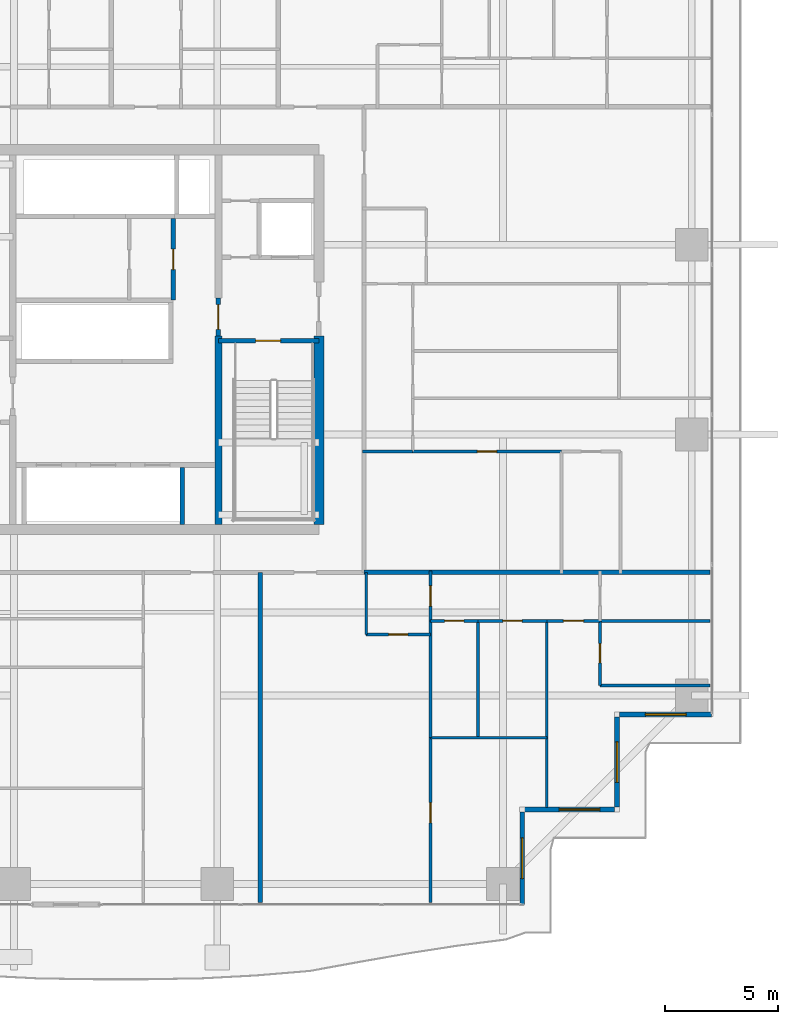
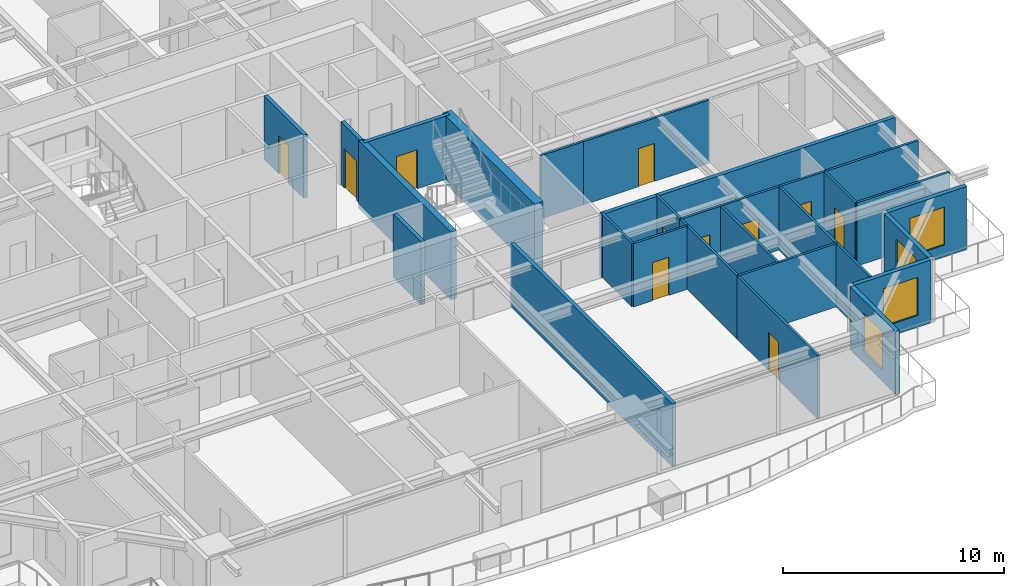
# One storey, part 29 of 41: 28 walls, 11 doors, 4 windows, 15 openings.
"""IFC4 building model written with IfcOpenShell, lengths in metres."""

from ifc_helpers import new_model, si_unit, direction, frame, frame_2d, origin, place, context, subcontext, project, spatial, rectangle, extrude, source, transform, mapped, material, layer, layer_set, type_object, element, fill, save


model = new_model("IFC4")

# Units and contexts
model_context = context("Model", 3, precision=1e-05, world=origin(), true_north=direction((0.0, 1.0)))
body_context = subcontext(model_context, "Body", "Model", "MODEL_VIEW")
ifc_project = project(units=[si_unit("LENGTHUNIT", "METRE"), si_unit("AREAUNIT", "SQUARE_METRE"), si_unit("VOLUMEUNIT", "CUBIC_METRE"), si_unit("PLANEANGLEUNIT", "RADIAN"), si_unit("MASSUNIT", "GRAM", prefix="KILO")], contexts=[model_context])

# Site, building, storey
site_placement = place(None, origin())
site = spatial("IfcSite", under=ifc_project, at=site_placement, CompositionType="ELEMENT")
building_placement = place(site_placement, origin())
building = spatial("IfcBuilding", under=site, at=building_placement, Name="Serunith Strait Residences", CompositionType="ELEMENT")
storey_placement = place(building_placement, frame((0.0, 0.0, 45.449951171875)))
storey = spatial("IfcBuildingStorey", under=building, at=storey_placement, Name="L10", CompositionType="ELEMENT", Elevation=45.449951171875)

# Wall, opening, window
ifc_material_1 = material(Name="Pale-Champagne Aluminium Insulated Panel", Category="aluminium")
ifc_layer_1 = layer(ifc_material_1, 0.219970703125, Name="Pale-Champagne Aluminium Insulated Panel")
ifc_layer_set_1 = layer_set([ifc_layer_1], Name="Pale-Champagne Aluminium Insulated Panel")
wall_type_1 = type_object("IfcWallType", Name="EW-ALUM-220", PredefinedType="ELEMENTEDWALL", material=ifc_layer_set_1)
wall_1_placement = place(storey_placement, frame((50.39990234375, 0.199951171875, 0.0), z_axis=(0.0, 0.0, 1.0), x_axis=(0.0, 1.0, 0.0)))
wall_1 = element("IfcWall", 1, at=wall_1_placement, inside=storey, type_object=wall_type_1, Name="L10 Girih Serrated Corner Wall 02", PredefinedType="ELEMENTEDWALL", context=body_context, shape_type="SweptSolid", body=[
    extrude(rectangle(XDim=4.090087890625, YDim=0.219970703125, at=frame_2d((2.044921875, 0.0))), origin(), (0.0, 0.0, 1.0), 3.47509765625),
])
opening_1_placement = place(wall_1_placement, frame((1.14501953125, 0.0, 0.64990234375)))
opening_1 = element("IfcOpeningElement", 2, at=opening_1_placement, cuts=wall_1, Name="Opening W-01", PredefinedType="OPENING", context=body_context, shape_type="SweptSolid", body=[
    extrude(rectangle(XDim=1.800048828125, YDim=2.10009765625, at=frame_2d((0.89990234375, 1.050048828125))), frame((0.0, 0.1201171875, 0.0), z_axis=(0.0, -1.0, 0.0), x_axis=(1.0, 0.0, 0.0)), (0.0, 0.0, 1.0), 0.239990234375),
])
ifc_material_2 = material(Name="Ceramic-Fritted Operable Aluminium Window Glass", Category="aluminium")
window_type = type_object("IfcWindowType", Name="WIN-C1", PartitioningType="DOUBLE_PANEL_VERTICAL", PredefinedType="WINDOW", material=ifc_material_2)
shared_shape_1 = source(origin(), body_context, "Body", "SweptSolid", [
    extrude(rectangle(XDim=1.800048828125, YDim=2.10009765625, at=frame_2d((0.89990234375, 1.050048828125))), frame((0.0, 0.030029296875, 0.0), z_axis=(0.0, -1.0, 0.0), x_axis=(1.0, 0.0, 0.0)), (0.0, 0.0, 1.0), 0.06005859375),
])
window_1_placement = place(opening_1_placement, origin())
window_1 = element("IfcWindow", 3, at=window_1_placement, inside=storey, type_object=window_type, Name="L10 Corner Operable Fritted Window 02", OverallHeight=2.10009765625, OverallWidth=1.800048828125, PartitioningType="SINGLE_PANEL", PredefinedType="WINDOW", context=body_context, shape_type="MappedRepresentation", body=[
    mapped(shared_shape_1, transform((0.0, 0.0, 0.0), scale=1.0)),
])
fill(opening_1, window_1)

wall_2_placement = place(storey_placement, frame((50.510009765625, 4.39990234375, 0.0), z_axis=(0.0, 0.0, 1.0), x_axis=(1.0, 0.0, 0.0)))
wall_2 = element("IfcWall", 4, at=wall_2_placement, inside=storey, type_object=wall_type_1, Name="L10 Girih Serrated Corner Wall 03", PredefinedType="ELEMENTEDWALL", context=body_context, shape_type="SweptSolid", body=[
    extrude(rectangle(XDim=3.97998046875, YDim=0.219970703125, at=frame_2d((1.989990234375, 0.0))), origin(), (0.0, 0.0, 1.0), 3.47509765625),
])
opening_2_placement = place(wall_2_placement, frame((1.52587890625, 0.0, 0.64990234375)))
opening_2 = element("IfcOpeningElement", 5, at=opening_2_placement, cuts=wall_2, Name="Opening W-01", PredefinedType="OPENING", context=body_context, shape_type="SweptSolid", body=[
    extrude(rectangle(XDim=1.800048828125, YDim=2.10009765625, at=frame_2d((0.89990234375, 1.050048828125))), frame((0.0, 0.1201171875, 0.0), z_axis=(0.0, -1.0, 0.0), x_axis=(1.0, 0.0, 0.0)), (0.0, 0.0, 1.0), 0.239990234375),
])
window_2_placement = place(opening_2_placement, origin())
window_2 = element("IfcWindow", 6, at=window_2_placement, inside=storey, type_object=window_type, Name="L10 Corner Operable Fritted Window 03", OverallHeight=2.10009765625, OverallWidth=1.800048828125, PartitioningType="SINGLE_PANEL", PredefinedType="WINDOW", context=body_context, shape_type="MappedRepresentation", body=[
    mapped(shared_shape_1, transform((0.0, 0.0, 0.0), scale=1.0)),
])
fill(opening_2, window_2)

wall_3_placement = place(storey_placement, frame((54.60009765625, 4.510009765625, 0.0), z_axis=(0.0, 0.0, 1.0), x_axis=(0.0, 1.0, 0.0)))
wall_3 = element("IfcWall", 7, at=wall_3_placement, inside=storey, type_object=wall_type_1, Name="L10 Girih Serrated Corner Wall 04", PredefinedType="ELEMENTEDWALL", context=body_context, shape_type="SweptSolid", body=[
    extrude(rectangle(XDim=3.97998046875, YDim=0.219970703125, at=frame_2d((1.989990234375, 0.0))), origin(), (0.0, 0.0, 1.0), 3.47509765625),
])
opening_3_placement = place(wall_3_placement, frame((1.090087890625, 0.0, 0.64990234375)))
opening_3 = element("IfcOpeningElement", 8, at=opening_3_placement, cuts=wall_3, Name="Opening W-01", PredefinedType="OPENING", context=body_context, shape_type="SweptSolid", body=[
    extrude(rectangle(XDim=1.800048828125, YDim=2.10009765625, at=frame_2d((0.89990234375, 1.050048828125))), frame((0.0, 0.1201171875, 0.0), z_axis=(0.0, -1.0, 0.0), x_axis=(1.0, 0.0, 0.0)), (0.0, 0.0, 1.0), 0.239990234375),
])
window_3_placement = place(opening_3_placement, origin())
window_3 = element("IfcWindow", 9, at=window_3_placement, inside=storey, type_object=window_type, Name="L10 Corner Operable Fritted Window 04", OverallHeight=2.10009765625, OverallWidth=1.800048828125, PartitioningType="SINGLE_PANEL", PredefinedType="WINDOW", context=body_context, shape_type="MappedRepresentation", body=[
    mapped(shared_shape_1, transform((0.0, 0.0, 0.0), scale=1.0)),
])
fill(opening_3, window_3)

wall_4_placement = place(storey_placement, frame((54.7099609375, 8.60009765625, 0.0), z_axis=(0.0, 0.0, 1.0), x_axis=(1.0, 0.0, 0.0)))
wall_4 = element("IfcWall", 10, at=wall_4_placement, inside=storey, type_object=wall_type_1, Name="L10 Girih Serrated Corner Wall 05", PredefinedType="ELEMENTEDWALL", context=body_context, shape_type="SweptSolid", body=[
    extrude(rectangle(XDim=4.090087890625, YDim=0.219970703125, at=frame_2d((2.044921875, 0.0))), origin(), (0.0, 0.0, 1.0), 3.47509765625),
])
opening_4_placement = place(wall_4_placement, frame((1.14501953125, 0.0, 0.64990234375)))
opening_4 = element("IfcOpeningElement", 11, at=opening_4_placement, cuts=wall_4, Name="Opening W-01", PredefinedType="OPENING", context=body_context, shape_type="SweptSolid", body=[
    extrude(rectangle(XDim=1.800048828125, YDim=2.10009765625, at=frame_2d((0.89990234375, 1.050048828125))), frame((0.0, 0.1201171875, 0.0), z_axis=(0.0, -1.0, 0.0), x_axis=(1.0, 0.0, 0.0)), (0.0, 0.0, 1.0), 0.239990234375),
])
window_4_placement = place(opening_4_placement, origin())
window_4 = element("IfcWindow", 12, at=window_4_placement, inside=storey, type_object=window_type, Name="L10 Corner Operable Fritted Window 05", OverallHeight=2.10009765625, OverallWidth=1.800048828125, PartitioningType="SINGLE_PANEL", PredefinedType="WINDOW", context=body_context, shape_type="MappedRepresentation", body=[
    mapped(shared_shape_1, transform((0.0, 0.0, 0.0), scale=1.0)),
])
fill(opening_4, window_4)

# Wall, opening, door
ifc_material_3 = material(Name="Lightweight steel-stud gypsum partition", Category="steel")
ifc_layer_2 = layer(ifc_material_3, 0.1201171875, Name="Lightweight steel-stud gypsum partition")
ifc_layer_set_2 = layer_set([ifc_layer_2], Name="Lightweight steel-stud gypsum partition")
wall_type_2 = type_object("IfcWallType", Name="IW-PART-120", PredefinedType="PARTITIONING", material=ifc_layer_set_2)
wall_5_placement = place(storey_placement, frame((43.489990234375, 12.14990234375, 0.0), z_axis=(0.0, 0.0, 1.0), x_axis=(1.0, 0.0, 0.0)))
wall_5 = element("IfcWall", 13, at=wall_5_placement, inside=storey, type_object=wall_type_2, Name="L10 Partition Wall 051", PredefinedType="PARTITIONING", context=body_context, shape_type="SweptSolid", body=[
    extrude(rectangle(XDim=2.85009765625, YDim=0.1201171875, at=frame_2d((1.425048828125, 0.0))), origin(), (0.0, 0.0, 1.0), 3.489990234375),
])
opening_5_placement = place(wall_5_placement, frame((1.0, 0.0, 0.0)))
opening_5 = element("IfcOpeningElement", 14, at=opening_5_placement, cuts=wall_5, Name="Opening D-RM850", PredefinedType="OPENING", context=body_context, shape_type="SweptSolid", body=[
    extrude(rectangle(XDim=0.85009765625, YDim=2.10009765625, at=frame_2d((0.425048828125, 1.050048828125))), frame((0.0, 0.070068359375, 0.0), z_axis=(0.0, -1.0, 0.0), x_axis=(1.0, 0.0, 0.0)), (0.0, 0.0, 1.0), 0.14013671875),
])
ifc_material_4 = material(Name="Engineered timber flush study and kitchen door", Category="wood")
door_type_1 = type_object("IfcDoorType", Name="ID-ROOM-850", OperationType="NOTDEFINED", PredefinedType="DOOR", material=ifc_material_4)
shared_shape_2 = source(origin(), body_context, "Body", "SweptSolid", [
    extrude(rectangle(XDim=0.85009765625, YDim=2.10009765625, at=frame_2d((0.425048828125, 1.050048828125))), frame((0.0, 0.02490234375, 0.0), z_axis=(0.0, -1.0, 0.0), x_axis=(1.0, 0.0, 0.0)), (0.0, 0.0, 1.0), 0.050048828125),
])
door_1_placement = place(opening_5_placement, origin())
door_1 = element("IfcDoor", 15, at=door_1_placement, inside=storey, type_object=door_type_1, Name="L10 Kitchen 1003 Door", OperationType="SINGLE_SWING_RIGHT", OverallHeight=2.10009765625, OverallWidth=0.85009765625, PredefinedType="DOOR", context=body_context, shape_type="MappedRepresentation", body=[
    mapped(shared_shape_2, transform((0.0, 0.0, 0.0), scale=1.0)),
])
fill(opening_5, door_1)

# Wall
wall_6_placement = place(storey_placement, frame((43.489990234375, 12.14990234375, 0.0), z_axis=(0.0, 0.0, 1.0), x_axis=(0.0, 1.0, 0.0)))
element("IfcWall", 16, at=wall_6_placement, inside=storey, type_object=wall_type_2, Name="L10 Partition Wall 052", PredefinedType="PARTITIONING", context=body_context, shape_type="SweptSolid", body=[
    extrude(rectangle(XDim=2.748046875, YDim=0.1201171875, at=frame_2d((1.3740234375, 0.0))), origin(), (0.0, 0.0, 1.0), 3.489990234375),
])

# Wall, opening, door
wall_7_placement = place(storey_placement, frame((46.340087890625, 12.75, 0.0), z_axis=(0.0, 0.0, 1.0), x_axis=(0.0, 1.0, 0.0)))
wall_7 = element("IfcWall", 17, at=wall_7_placement, inside=storey, type_object=wall_type_2, Name="L10 Partition Wall 053", PredefinedType="PARTITIONING", context=body_context, shape_type="SweptSolid", body=[
    extrude(rectangle(XDim=2.2099609375, YDim=0.1201171875, at=frame_2d((1.10498046875, 0.0))), origin(), (0.0, 0.0, 1.0), 3.489990234375),
])
opening_6_placement = place(wall_7_placement, frame((0.655029296875, 0.0, 0.0)))
opening_6 = element("IfcOpeningElement", 18, at=opening_6_placement, cuts=wall_7, Name="Opening D-RM900", PredefinedType="OPENING", context=body_context, shape_type="SweptSolid", body=[
    extrude(rectangle(XDim=0.89990234375, YDim=2.10009765625, at=frame_2d((0.449951171875, 1.050048828125))), frame((0.0, 0.070068359375, 0.0), z_axis=(0.0, -1.0, 0.0), x_axis=(1.0, 0.0, 0.0)), (0.0, 0.0, 1.0), 0.14013671875),
])
ifc_material_5 = material(Name="Engineered timber flush bedroom door", Category="wood")
door_type_2 = type_object("IfcDoorType", Name="ID-ROOM-900", OperationType="NOTDEFINED", PredefinedType="DOOR", material=ifc_material_5)
shared_shape_3 = source(origin(), body_context, "Body", "SweptSolid", [
    extrude(rectangle(XDim=0.89990234375, YDim=2.10009765625, at=frame_2d((0.449951171875, 1.050048828125))), frame((0.0, 0.02490234375, 0.0), z_axis=(0.0, -1.0, 0.0), x_axis=(1.0, 0.0, 0.0)), (0.0, 0.0, 1.0), 0.050048828125),
])
door_2_placement = place(opening_6_placement, origin())
door_2 = element("IfcDoor", 19, at=door_2_placement, inside=storey, type_object=door_type_2, Name="L10 Hall E 1003 Door", OperationType="SINGLE_SWING_LEFT", OverallHeight=2.10009765625, OverallWidth=0.89990234375, PredefinedType="DOOR", context=body_context, shape_type="MappedRepresentation", body=[
    mapped(shared_shape_3, transform((0.0, 0.0, 0.0), scale=1.0)),
])
fill(opening_6, door_2)

wall_8_placement = place(storey_placement, frame((46.340087890625, 0.294921875, 0.0), z_axis=(0.0, 0.0, 1.0), x_axis=(0.0, 1.0, 0.0)))
wall_8 = element("IfcWall", 20, at=wall_8_placement, inside=storey, type_object=wall_type_2, Name="L10 Partition Wall 054", PredefinedType="PARTITIONING", context=body_context, shape_type="SweptSolid", body=[
    extrude(rectangle(XDim=7.28515625, YDim=0.1201171875, at=frame_2d((3.642578125, 0.0))), origin(), (0.0, 0.0, 1.0), 3.489990234375),
])
opening_7_placement = place(wall_8_placement, frame((3.511962890625, 0.0, 0.0)))
opening_7 = element("IfcOpeningElement", 21, at=opening_7_placement, cuts=wall_8, Name="Opening D-RM900", PredefinedType="OPENING", context=body_context, shape_type="SweptSolid", body=[
    extrude(rectangle(XDim=0.89990234375, YDim=2.10009765625, at=frame_2d((0.449951171875, 1.050048828125))), frame((0.0, 0.070068359375, 0.0), z_axis=(0.0, -1.0, 0.0), x_axis=(1.0, 0.0, 0.0)), (0.0, 0.0, 1.0), 0.14013671875),
])
door_3_placement = place(opening_7_placement, origin())
door_3 = element("IfcDoor", 22, at=door_3_placement, inside=storey, type_object=door_type_2, Name="L10 Formal Dining Room 1 1003 Door", OperationType="SINGLE_SWING_RIGHT", OverallHeight=2.10009765625, OverallWidth=0.89990234375, PredefinedType="DOOR", context=body_context, shape_type="MappedRepresentation", body=[
    mapped(shared_shape_3, transform((0.0, 0.0, 0.0), scale=1.0)),
])
fill(opening_7, door_3)

# Walls
wall_9_placement = place(storey_placement, frame((46.340087890625, 7.58203125, 0.0), z_axis=(0.0, 0.0, 1.0), x_axis=(0.0, 1.0, 0.0)))
element("IfcWall", 23, at=wall_9_placement, inside=storey, type_object=wall_type_2, Name="L10 Partition Wall 055", PredefinedType="PARTITIONING", context=body_context, shape_type="SweptSolid", body=[
    extrude(rectangle(XDim=5.166015625, YDim=0.1201171875, at=frame_2d((2.5830078125, 0.0))), origin(), (0.0, 0.0, 1.0), 3.489990234375),
])
wall_10_placement = place(storey_placement, frame((46.340087890625, 7.580078125, 0.0), z_axis=(0.0, 0.0, 1.0), x_axis=(1.0, 0.0, 0.0)))
element("IfcWall", 24, at=wall_10_placement, inside=storey, type_object=wall_type_2, Name="L10 Partition Wall 056", PredefinedType="PARTITIONING", context=body_context, shape_type="SweptSolid", body=[
    extrude(rectangle(XDim=5.14990234375, YDim=0.1201171875, at=frame_2d((2.574951171875, 0.0))), origin(), (0.0, 0.0, 1.0), 3.489990234375),
])
wall_11_placement = place(storey_placement, frame((51.489990234375, 4.4951171875, 0.0), z_axis=(0.0, 0.0, 1.0), x_axis=(0.0, 1.0, 0.0)))
element("IfcWall", 25, at=wall_11_placement, inside=storey, type_object=wall_type_2, Name="L10 Partition Wall 057", PredefinedType="PARTITIONING", context=body_context, shape_type="SweptSolid", body=[
    extrude(rectangle(XDim=8.2548828125, YDim=0.1201171875, at=frame_2d((4.12744140625, 0.0))), origin(), (0.0, 0.0, 1.0), 3.489990234375),
])
wall_12_placement = place(storey_placement, frame((48.43994140625, 7.580078125, 0.0), z_axis=(0.0, 0.0, 1.0), x_axis=(0.0, 1.0, 0.0)))
element("IfcWall", 26, at=wall_12_placement, inside=storey, type_object=wall_type_2, Name="L10 Partition Wall 058", PredefinedType="PARTITIONING", context=body_context, shape_type="SweptSolid", body=[
    extrude(rectangle(XDim=5.169921875, YDim=0.1201171875, at=frame_2d((2.5849609375, 0.0))), origin(), (0.0, 0.0, 1.0), 3.489990234375),
])

# Wall, opening, door
wall_13_placement = place(storey_placement, frame((46.340087890625, 12.75, 0.0), z_axis=(0.0, 0.0, 1.0), x_axis=(1.0, 0.0, 0.0)))
wall_13 = element("IfcWall", 27, at=wall_13_placement, inside=storey, type_object=wall_type_2, Name="L10 Partition Wall 059", PredefinedType="PARTITIONING", context=body_context, shape_type="SweptSolid", body=[
    extrude(rectangle(XDim=2.099853515625, YDim=0.1201171875, at=frame_2d((1.0498046875, 0.0))), origin(), (0.0, 0.0, 1.0), 3.489990234375),
])
opening_8_placement = place(wall_13_placement, frame((0.625, 0.0, 0.0)))
opening_8 = element("IfcOpeningElement", 28, at=opening_8_placement, cuts=wall_13, Name="Opening D-BTH850", PredefinedType="OPENING", context=body_context, shape_type="SweptSolid", body=[
    extrude(rectangle(XDim=0.85009765625, YDim=2.10009765625, at=frame_2d((0.425048828125, 1.050048828125))), frame((0.0, 0.070068359375, 0.0), z_axis=(0.0, -1.0, 0.0), x_axis=(1.0, 0.0, 0.0)), (0.0, 0.0, 1.0), 0.14013671875),
])
ifc_material_6 = material(Name="Moisture-resistant timber bathroom door", Category="wood")
door_type_3 = type_object("IfcDoorType", Name="ID-BATH-850", OperationType="NOTDEFINED", PredefinedType="DOOR", material=ifc_material_6)
door_4_placement = place(opening_8_placement, origin())
door_4 = element("IfcDoor", 29, at=door_4_placement, inside=storey, type_object=door_type_3, Name="L10 Bathroom 1003 Door", OperationType="SINGLE_SWING_LEFT", OverallHeight=2.10009765625, OverallWidth=0.85009765625, PredefinedType="DOOR", context=body_context, shape_type="MappedRepresentation", body=[
    mapped(shared_shape_2, transform((0.0, 0.0, 0.0), scale=1.0)),
])
fill(opening_8, door_4)

wall_14_placement = place(storey_placement, frame((48.44189453125, 12.75, 0.0), z_axis=(0.0, 0.0, 1.0), x_axis=(1.0, 0.0, 0.0)))
wall_14 = element("IfcWall", 30, at=wall_14_placement, inside=storey, type_object=wall_type_2, Name="L10 Partition Wall 060", PredefinedType="PARTITIONING", context=body_context, shape_type="SweptSolid", body=[
    extrude(rectangle(XDim=3.048095703125, YDim=0.1201171875, at=frame_2d((1.52392578125, 0.0))), origin(), (0.0, 0.0, 1.0), 3.489990234375),
])
opening_9_placement = place(wall_14_placement, frame((1.09912109375, 0.0, 0.0)))
opening_9 = element("IfcOpeningElement", 31, at=opening_9_placement, cuts=wall_14, Name="Opening D-RM850", PredefinedType="OPENING", context=body_context, shape_type="SweptSolid", body=[
    extrude(rectangle(XDim=0.85009765625, YDim=2.10009765625, at=frame_2d((0.425048828125, 1.050048828125))), frame((0.0, 0.070068359375, 0.0), z_axis=(0.0, -1.0, 0.0), x_axis=(1.0, 0.0, 0.0)), (0.0, 0.0, 1.0), 0.14013671875),
])
door_5_placement = place(opening_9_placement, origin())
door_5 = element("IfcDoor", 32, at=door_5_placement, inside=storey, type_object=door_type_1, Name="L10 Formal Dining Room 1003 Door", OperationType="SINGLE_SWING_RIGHT", OverallHeight=2.10009765625, OverallWidth=0.85009765625, PredefinedType="DOOR", context=body_context, shape_type="MappedRepresentation", body=[
    mapped(shared_shape_2, transform((0.0, 0.0, 0.0), scale=1.0)),
])
fill(opening_9, door_5)

wall_15_placement = place(storey_placement, frame((51.491943359375, 12.75, 0.0), z_axis=(0.0, 0.0, 1.0), x_axis=(1.0, 0.0, 0.0)))
wall_15 = element("IfcWall", 33, at=wall_15_placement, inside=storey, type_object=wall_type_2, Name="L10 Partition Wall 061", PredefinedType="PARTITIONING", context=body_context, shape_type="SweptSolid", body=[
    extrude(rectangle(XDim=2.34814453125, YDim=0.1201171875, at=frame_2d((1.174072265625, 0.0))), origin(), (0.0, 0.0, 1.0), 3.489990234375),
])
opening_10_placement = place(wall_15_placement, frame((0.72412109375, 0.0, 0.0)))
opening_10 = element("IfcOpeningElement", 34, at=opening_10_placement, cuts=wall_15, Name="Opening D-RM900", PredefinedType="OPENING", context=body_context, shape_type="SweptSolid", body=[
    extrude(rectangle(XDim=0.89990234375, YDim=2.10009765625, at=frame_2d((0.449951171875, 1.050048828125))), frame((0.0, 0.070068359375, 0.0), z_axis=(0.0, -1.0, 0.0), x_axis=(1.0, 0.0, 0.0)), (0.0, 0.0, 1.0), 0.14013671875),
])
door_6_placement = place(opening_10_placement, origin())
door_6 = element("IfcDoor", 35, at=door_6_placement, inside=storey, type_object=door_type_2, Name="L10 Master Bedroom E 1003 Door", OperationType="SINGLE_SWING_LEFT", OverallHeight=2.10009765625, OverallWidth=0.89990234375, PredefinedType="DOOR", context=body_context, shape_type="MappedRepresentation", body=[
    mapped(shared_shape_3, transform((0.0, 0.0, 0.0), scale=1.0)),
])
fill(opening_10, door_6)

# Walls
wall_16_placement = place(storey_placement, frame((53.840087890625, 9.89404296875, 0.0), z_axis=(0.0, 0.0, 1.0), x_axis=(1.0, 0.0, 0.0)))
element("IfcWall", 36, at=wall_16_placement, inside=storey, type_object=wall_type_2, Name="L10 Partition Wall 062", PredefinedType="PARTITIONING", context=body_context, shape_type="SweptSolid", body=[
    extrude(rectangle(XDim=4.864990234375, YDim=0.1201171875, at=frame_2d((2.4326171875, 0.0))), origin(), (0.0, 0.0, 1.0), 3.489990234375),
])
wall_17_placement = place(storey_placement, frame((53.842041015625, 12.75, 0.0), z_axis=(0.0, 0.0, 1.0), x_axis=(1.0, 0.0, 0.0)))
element("IfcWall", 37, at=wall_17_placement, inside=storey, type_object=wall_type_2, Name="L10 Partition Wall 063", PredefinedType="PARTITIONING", context=body_context, shape_type="SweptSolid", body=[
    extrude(rectangle(XDim=4.863037109375, YDim=0.1201171875, at=frame_2d((2.431640625, 0.0))), origin(), (0.0, 0.0, 1.0), 3.489990234375),
])

# Wall, opening, door
wall_18_placement = place(storey_placement, frame((53.840087890625, 9.89404296875, 0.0), z_axis=(0.0, 0.0, 1.0), x_axis=(0.0, 1.0, 0.0)))
wall_18 = element("IfcWall", 38, at=wall_18_placement, inside=storey, type_object=wall_type_2, Name="L10 Partition Wall 064", PredefinedType="PARTITIONING", context=body_context, shape_type="SweptSolid", body=[
    extrude(rectangle(XDim=2.85595703125, YDim=0.1201171875, at=frame_2d((1.427978515625, 0.0))), origin(), (0.0, 0.0, 1.0), 3.489990234375),
])
opening_11_placement = place(wall_18_placement, frame((1.0029296875, 0.0, 0.0)))
opening_11 = element("IfcOpeningElement", 39, at=opening_11_placement, cuts=wall_18, Name="Opening D-BTH850", PredefinedType="OPENING", context=body_context, shape_type="SweptSolid", body=[
    extrude(rectangle(XDim=0.85009765625, YDim=2.10009765625, at=frame_2d((0.425048828125, 1.050048828125))), frame((0.0, 0.070068359375, 0.0), z_axis=(0.0, -1.0, 0.0), x_axis=(1.0, 0.0, 0.0)), (0.0, 0.0, 1.0), 0.14013671875),
])
door_7_placement = place(opening_11_placement, origin())
door_7 = element("IfcDoor", 40, at=door_7_placement, inside=storey, type_object=door_type_3, Name="L10 En-suite Bathroom E 1003 Door", OperationType="SINGLE_SWING_RIGHT", OverallHeight=2.10009765625, OverallWidth=0.85009765625, PredefinedType="DOOR", context=body_context, shape_type="MappedRepresentation", body=[
    mapped(shared_shape_2, transform((0.0, 0.0, 0.0), scale=1.0)),
])
fill(opening_11, door_7)

wall_19_placement = place(storey_placement, frame((52.131103515625, 20.25, 0.0), z_axis=(0.0, 0.0, 1.0), x_axis=(-1.0, 0.0, 0.0)))
wall_19 = element("IfcWall", 41, at=wall_19_placement, inside=storey, type_object=wall_type_2, Name="L10 Partition Wall 129", PredefinedType="PARTITIONING", context=body_context, shape_type="SweptSolid", body=[
    extrude(rectangle(XDim=6.5810546875, YDim=0.1201171875, at=frame_2d((3.29052734375, 0.0))), origin(), (0.0, 0.0, 1.0), 3.489990234375),
])
opening_12_placement = place(wall_19_placement, frame((2.865966796875, 0.0, 0.0)))
opening_12 = element("IfcOpeningElement", 42, at=opening_12_placement, cuts=wall_19, Name="Opening D-RM850", PredefinedType="OPENING", context=body_context, shape_type="SweptSolid", body=[
    extrude(rectangle(XDim=0.85009765625, YDim=2.10009765625, at=frame_2d((0.425048828125, 1.050048828125))), frame((0.0, 0.070068359375, 0.0), z_axis=(0.0, -1.0, 0.0), x_axis=(1.0, 0.0, 0.0)), (0.0, 0.0, 1.0), 0.14013671875),
])
door_8_placement = place(opening_12_placement, origin())
door_8 = element("IfcDoor", 43, at=door_8_placement, inside=storey, type_object=door_type_1, Name="L10 Wardrobe W 1010 Door", OperationType="SINGLE_SWING_LEFT", OverallHeight=2.10009765625, OverallWidth=0.85009765625, PredefinedType="DOOR", context=body_context, shape_type="MappedRepresentation", body=[
    mapped(shared_shape_2, transform((0.0, 0.0, 0.0), scale=1.0)),
])
fill(opening_12, door_8)

# Walls
wall_20_placement = place(storey_placement, frame((45.548095703125, 20.25, 0.0), z_axis=(0.0, 0.0, 1.0), x_axis=(-1.0, 0.0, 0.0)))
element("IfcWall", 44, at=wall_20_placement, inside=storey, type_object=wall_type_2, Name="L10 Partition Wall 130", PredefinedType="PARTITIONING", context=body_context, shape_type="SweptSolid", body=[
    extrude(rectangle(XDim=2.2080078125, YDim=0.1201171875, at=frame_2d((1.10400390625, 0.0))), origin(), (0.0, 0.0, 1.0), 3.489990234375),
])
ifc_material_7 = material(Name="Twin-stud acoustic gypsum board partition")
ifc_layer_3 = layer(ifc_material_7, 0.199951171875, Name="Twin-stud acoustic gypsum board partition")
ifc_layer_set_3 = layer_set([ifc_layer_3], Name="Twin-stud acoustic gypsum board partition")
wall_type_3 = type_object("IfcWallType", Name="IW-PARTY-200", PredefinedType="PARTITIONING", material=ifc_layer_set_3)
wall_21_placement = place(storey_placement, frame((38.800048828125, 0.281982421875, 0.0), z_axis=(0.0, 0.0, 1.0), x_axis=(0.0, 1.0, 0.0)))
element("IfcWall", 45, at=wall_21_placement, inside=storey, type_object=wall_type_3, Name="L10 Partition Wall 016", PredefinedType="PARTITIONING", context=body_context, shape_type="SweptSolid", body=[
    extrude(rectangle(XDim=14.617919921875, YDim=0.199951171875, at=frame_2d((7.30908203125, 0.0))), origin(), (0.0, 0.0, 1.0), 3.489990234375),
])
wall_22_placement = place(storey_placement, frame((43.39990234375, 14.89990234375, 0.0), z_axis=(0.0, 0.0, 1.0), x_axis=(1.0, 0.0, 0.0)))
element("IfcWall", 46, at=wall_22_placement, inside=storey, type_object=wall_type_3, Name="L10 Partition Wall 022", PredefinedType="PARTITIONING", context=body_context, shape_type="SweptSolid", body=[
    extrude(rectangle(XDim=15.318115234375, YDim=0.199951171875, at=frame_2d((7.6591796875, 0.0))), origin(), (0.0, 0.0, 1.0), 3.489990234375),
])

# Wall, opening, door
ifc_material_8 = material(Name="Autoclaved aerated concrete blockwork", Category="masonry")
ifc_layer_4 = layer(ifc_material_8, 0.199951171875, Name="Autoclaved aerated concrete blockwork")
ifc_layer_set_4 = layer_set([ifc_layer_4], Name="Autoclaved aerated concrete blockwork")
wall_type_4 = type_object("IfcWallType", Name="IW-SHAFT-200", PredefinedType="STANDARD", material=ifc_layer_set_4)
wall_23_placement = place(storey_placement, frame((36.949951171875, 25.14990234375, 0.0), z_axis=(0.0, 0.0, 1.0), x_axis=(1.0, 0.0, 0.0)))
wall_23 = element("IfcWall", 47, at=wall_23_placement, inside=storey, type_object=wall_type_4, Name="L10 ST-2 North Shaft Wall", PredefinedType="STANDARD", context=body_context, shape_type="SweptSolid", body=[
    extrude(rectangle(XDim=4.449951171875, YDim=0.199951171875, at=frame_2d((2.22509765625, 0.0))), origin(), (0.0, 0.0, 1.0), 3.489990234375),
])
opening_13_placement = place(wall_23_placement, frame((1.64990234375, 0.0, 0.0)))
opening_13 = element("IfcOpeningElement", 48, at=opening_13_placement, cuts=wall_23, Name="Opening FD-1100", PredefinedType="OPENING", context=body_context, shape_type="SweptSolid", body=[
    extrude(rectangle(XDim=1.10009765625, YDim=2.14990234375, at=frame_2d((0.550048828125, 1.074951171875))), frame((0.0, 0.10986328125, 0.0), z_axis=(0.0, -1.0, 0.0), x_axis=(1.0, 0.0, 0.0)), (0.0, 0.0, 1.0), 0.219970703125),
])
ifc_material_9 = material(Name="Galvanised steel fire door leaf", Category="steel")
door_type_4 = type_object("IfcDoorType", Name="FD-STAIR-1100", OperationType="NOTDEFINED", PredefinedType="DOOR", material=ifc_material_9)
shared_shape_4 = source(origin(), body_context, "Body", "SweptSolid", [
    extrude(rectangle(XDim=1.10009765625, YDim=2.14990234375, at=frame_2d((0.550048828125, 1.074951171875))), frame((0.0, 0.02490234375, 0.0), z_axis=(0.0, -1.0, 0.0), x_axis=(1.0, 0.0, 0.0)), (0.0, 0.0, 1.0), 0.050048828125),
])
door_9_placement = place(opening_13_placement, origin())
door_9 = element("IfcDoor", 49, at=door_9_placement, inside=storey, type_object=door_type_4, Name="L10 ST-2 Escape Stair Door", OperationType="SINGLE_SWING_LEFT", OverallHeight=2.14990234375, OverallWidth=1.10009765625, PredefinedType="DOOR", context=body_context, shape_type="MappedRepresentation", body=[
    mapped(shared_shape_4, transform((0.0, 0.0, 0.0), scale=1.0)),
])
fill(opening_13, door_9)

# Wall
wall_24_placement = place(storey_placement, frame((35.35009765625, 17.02490234375, 0.0), z_axis=(0.0, 0.0, 1.0), x_axis=(0.0, 1.0, 0.0)))
element("IfcWall", 50, at=wall_24_placement, inside=storey, type_object=wall_type_4, Name="L10 PL-3 East Shaft Wall", PredefinedType="STANDARD", context=body_context, shape_type="SweptSolid", body=[
    extrude(rectangle(XDim=2.525146484375, YDim=0.199951171875, at=frame_2d((1.2626953125, 0.0))), origin(), (0.0, 0.0, 1.0), 3.489990234375),
])

# Wall, opening, door
wall_25_placement = place(storey_placement, frame((36.949951171875, 25.35205078125, 0.0), z_axis=(0.0, 0.0, 1.0), x_axis=(0.0, 1.0, 0.0)))
wall_25 = element("IfcWall", 51, at=wall_25_placement, inside=storey, type_object=wall_type_4, Name="L10 Partition Wall 010", PredefinedType="STANDARD", context=body_context, shape_type="SweptSolid", body=[
    extrude(rectangle(XDim=1.696044921875, YDim=0.199951171875, at=frame_2d((0.84814453125, 0.0))), origin(), (0.0, 0.0, 1.0), 3.489990234375),
])
opening_14_placement = place(wall_25_placement, frame((0.298095703125, 0.0, 0.0)))
opening_14 = element("IfcOpeningElement", 52, at=opening_14_placement, cuts=wall_25, Name="Opening FD-FFL", PredefinedType="OPENING", context=body_context, shape_type="SweptSolid", body=[
    extrude(rectangle(XDim=1.10009765625, YDim=2.14990234375, at=frame_2d((0.550048828125, 1.074951171875))), frame((0.0, 0.10986328125, 0.0), z_axis=(0.0, -1.0, 0.0), x_axis=(1.0, 0.0, 0.0)), (0.0, 0.0, 1.0), 0.219970703125),
])
ifc_material_10 = material(Name="Glazed steel smoke-lobby fire door", Category="steel")
door_type_5 = type_object("IfcDoorType", Name="FD-FFL-1100", OperationType="NOTDEFINED", PredefinedType="DOOR", material=ifc_material_10)
door_10_placement = place(opening_14_placement, origin())
door_10 = element("IfcDoor", 53, at=door_10_placement, inside=storey, type_object=door_type_5, Name="L10 FFL-2 Lift Lobby Door", OperationType="SINGLE_SWING_RIGHT", OverallHeight=2.14990234375, OverallWidth=1.10009765625, PredefinedType="DOOR", context=body_context, shape_type="MappedRepresentation", body=[
    mapped(shared_shape_4, transform((0.0, 0.0, 0.0), scale=1.0)),
])
fill(opening_14, door_10)

wall_26_placement = place(storey_placement, frame((34.949951171875, 26.949951171875, 0.0), z_axis=(0.0, 0.0, 1.0), x_axis=(0.0, 1.0, 0.0)))
wall_26 = element("IfcWall", 54, at=wall_26_placement, inside=storey, type_object=wall_type_4, Name="L10 Partition Wall 013", PredefinedType="STANDARD", context=body_context, shape_type="SweptSolid", body=[
    extrude(rectangle(XDim=3.60009765625, YDim=0.199951171875, at=frame_2d((1.800048828125, 0.0))), origin(), (0.0, 0.0, 1.0), 3.489990234375),
])
opening_15_placement = place(wall_26_placement, frame((1.35009765625, 0.0, 0.0)))
opening_15 = element("IfcOpeningElement", 55, at=opening_15_placement, cuts=wall_26, Name="Opening FD-900", PredefinedType="OPENING", context=body_context, shape_type="SweptSolid", body=[
    extrude(rectangle(XDim=0.89990234375, YDim=2.10009765625, at=frame_2d((0.449951171875, 1.050048828125))), frame((0.0, 0.10986328125, 0.0), z_axis=(0.0, -1.0, 0.0), x_axis=(1.0, 0.0, 0.0)), (0.0, 0.0, 1.0), 0.219970703125),
])
ifc_material_11 = material(Name="Powder-coated steel riser door", Category="steel")
door_type_6 = type_object("IfcDoorType", Name="FD-BOH-900", OperationType="NOTDEFINED", PredefinedType="DOOR", material=ifc_material_11)
door_11_placement = place(opening_15_placement, origin())
door_11 = element("IfcDoor", 56, at=door_11_placement, inside=storey, type_object=door_type_6, Name="L10 Meter Plant Door", OperationType="SINGLE_SWING_RIGHT", OverallHeight=2.10009765625, OverallWidth=0.89990234375, PredefinedType="DOOR", context=body_context, shape_type="MappedRepresentation", body=[
    mapped(shared_shape_3, transform((0.0, 0.0, 0.0), scale=1.0)),
])
fill(opening_15, door_11)

# Walls
ifc_material_12 = material(Name="Concrete C80/95", Category="concrete")
ifc_layer_5 = layer(ifc_material_12, 0.300048828125, Name="Concrete C80/95")
ifc_layer_set_5 = layer_set([ifc_layer_5], Name="Concrete C80/95")
wall_type_5 = type_object("IfcWallType", Name="SW-300-C80", PredefinedType="SHEAR", material=ifc_layer_set_5)
wall_27_placement = place(storey_placement, frame((36.949951171875, 17.02490234375, -0.260009765625), z_axis=(0.0, 0.0, 1.0), x_axis=(0.0, 1.0, 0.0)))
element("IfcWall", 57, at=wall_27_placement, inside=storey, type_object=wall_type_5, Name="L10 Core Internal East Web South Pier", PredefinedType="SHEAR", context=body_context, shape_type="SweptSolid", body=[
    extrude(rectangle(XDim=8.3251953125, YDim=0.300048828125, at=frame_2d((4.16259765625, 0.0))), origin(), (0.0, 0.0, 1.0), 3.748046875),
])
ifc_layer_6 = layer(ifc_material_12, 0.449951171875, Name="Concrete C80/95")
ifc_layer_set_6 = layer_set([ifc_layer_6], Name="Concrete C80/95")
wall_type_6 = type_object("IfcWallType", Name="SW-450-C80", PredefinedType="SHEAR", material=ifc_layer_set_6)
wall_28_placement = place(storey_placement, frame((41.39990234375, 17.02490234375, -0.260009765625), z_axis=(0.0, 0.0, 1.0), x_axis=(0.0, 1.0, 0.0)))
element("IfcWall", 58, at=wall_28_placement, inside=storey, type_object=wall_type_6, Name="L10 Core East Shear Wall South Pier", PredefinedType="SHEAR", context=body_context, shape_type="SweptSolid", body=[
    extrude(rectangle(XDim=8.3251953125, YDim=0.449951171875, at=frame_2d((4.16259765625, 0.0))), origin(), (0.0, 0.0, 1.0), 3.748046875),
])

save(model, "model.ifc")
